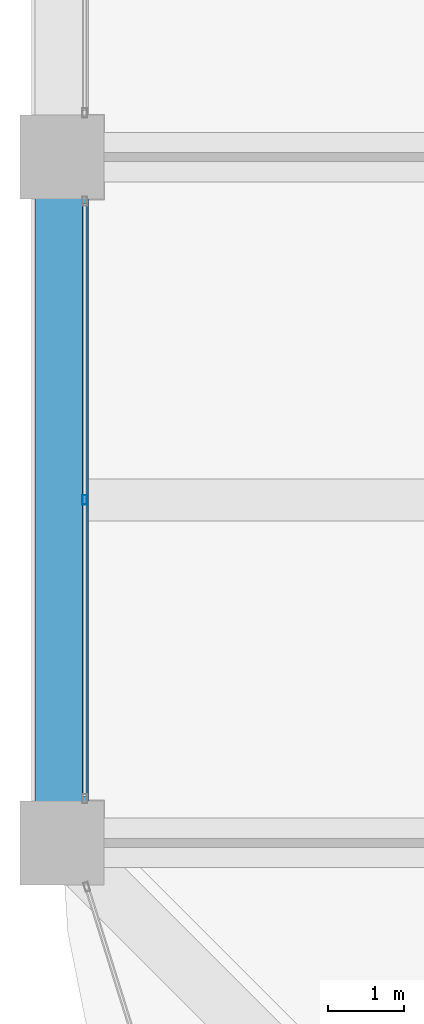
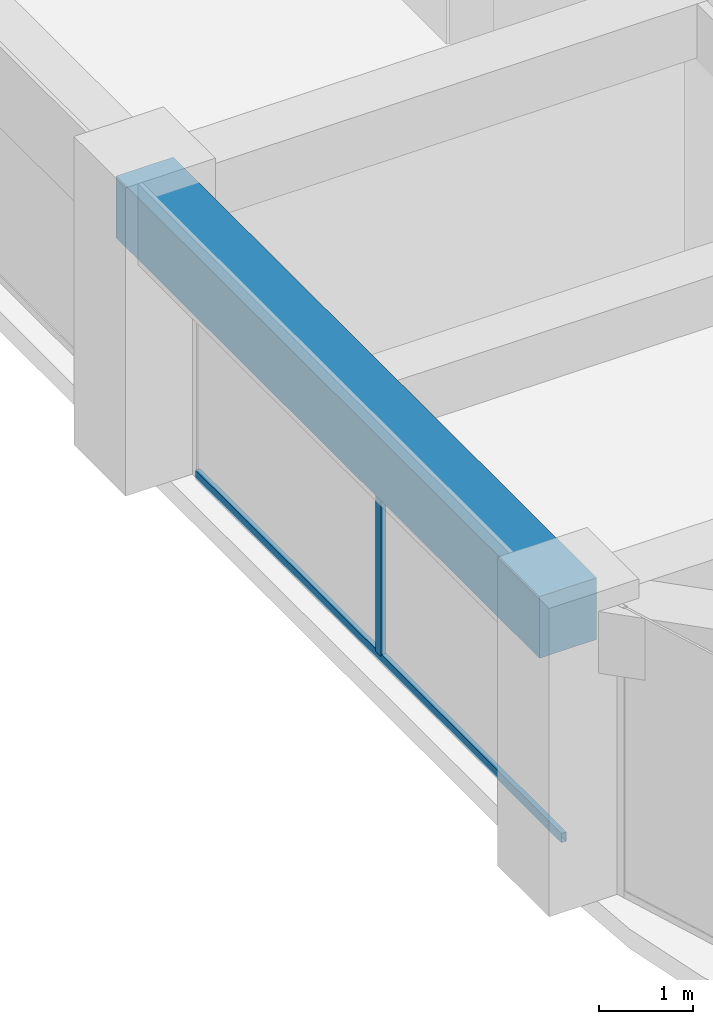
# One storey, part 7 of 44: 2 members, 1 beam, 1 element without a shape of its own.
"""IFC4 building model written with IfcOpenShell, lengths in metres."""

from ifc_helpers import new_model, si_unit, direction, frame, origin, origin_2d, place, context, subcontext, project, spatial, rectangle, hollow_rectangle, extrude, material, material_profile, profile_set, type_object, element, aggregate, save


model = new_model("IFC4")

# Units and contexts
model_context = context("Model", 3, precision=1e-05, world=origin(), true_north=direction((0.0, 1.0)))
body_context = subcontext(model_context, "Body", "Model", "MODEL_VIEW")
ifc_project = project(units=[si_unit("LENGTHUNIT", "METRE"), si_unit("AREAUNIT", "SQUARE_METRE"), si_unit("VOLUMEUNIT", "CUBIC_METRE"), si_unit("PLANEANGLEUNIT", "RADIAN"), si_unit("MASSUNIT", "GRAM", prefix="KILO")], contexts=[model_context])

# Site, building, storey
site_placement = place(None, origin())
site = spatial("IfcSite", under=ifc_project, at=site_placement, CompositionType="ELEMENT")
building_placement = place(site_placement, origin())
building = spatial("IfcBuilding", under=site, at=building_placement, Name="Zorevar Civic Tower", CompositionType="ELEMENT")
storey_placement = place(building_placement, frame((0.0, 0.0, 295.39990234375)))
storey = spatial("IfcBuildingStorey", under=building, at=storey_placement, Name="L72", CompositionType="ELEMENT", Elevation=295.39990234375)

# Curtain wall, members
ifc_material_1 = material(Name="Dark grey solar-control glass in black aluminium frame", Category="aluminium")
curtain_wall_type = type_object("IfcCurtainWallType", Name="Curtain wall CW5 top zone", PredefinedType="NOTDEFINED", material=ifc_material_1)
curtain_wall_placement = place(storey_placement, origin())
curtain_wall = element("IfcCurtainWall", 1, at=curtain_wall_placement, inside=storey, type_object=curtain_wall_type, Name="CW5 L72", PredefinedType="NOTDEFINED")
ifc_material_2 = material(Name="Aluminium, black anodised", Category="aluminium")
ifc_material_profile_1 = material_profile(ifc_material_2, hollow_rectangle(XDim=0.06005859375, YDim=0.1201171875, WallThickness=0.0029296875, at=origin_2d()), Name="AL 120x60x3")
ifc_profile_set_1 = profile_set([ifc_material_profile_1], Name="Aluminium, black anodised")
member_type_1 = type_object("IfcMemberType", Name="CW5 mullion AL 120x60x3", PredefinedType="MULLION", material=ifc_profile_set_1)
member_1_placement = place(storey_placement, frame((9.300048828125, 13.5, 0.06005859375), z_axis=(0.0, 0.0, 1.0), x_axis=(-1.0, 0.0, 0.0)))
member_1 = element("IfcMember", 2, at=member_1_placement, type_object=member_type_1, Name="CW5 mullion 2", PredefinedType="MULLION", context=body_context, shape_type="SweptSolid", body=[
    extrude(hollow_rectangle(XDim=0.06005859375, YDim=0.1201171875, WallThickness=0.0029296875, at=origin_2d()), origin(), (0.0, 0.0, 1.0), 2.89013671875),
])
ifc_material_3 = material(Name="Aluminium, black anodised", Category="aluminium")
ifc_material_profile_2 = material_profile(ifc_material_3, hollow_rectangle(XDim=0.06005859375, YDim=0.1201171875, WallThickness=0.0029296875, at=origin_2d()), Name="AL 120x60x3")
ifc_profile_set_2 = profile_set([ifc_material_profile_2], Name="Aluminium, black anodised")
member_type_2 = type_object("IfcMemberType", Name="CW5 transom AL 120x60x3", PredefinedType="USERDEFINED", material=ifc_profile_set_2)
member_2_placement = place(storey_placement, frame((9.300048828125, 9.610107421875, 0.030029296875), z_axis=(0.0, 1.0, 0.0), x_axis=(-1.0, 0.0, 0.0)))
member_2 = element("IfcMember", 3, at=member_2_placement, type_object=member_type_2, Name="CW5 sill transom", ObjectType="TRANSOM", PredefinedType="USERDEFINED", context=body_context, shape_type="SweptSolid", body=[
    extrude(hollow_rectangle(XDim=0.06005859375, YDim=0.1201171875, WallThickness=0.0029296875, at=origin_2d()), origin(), (0.0, 0.0, 1.0), 7.77978515625),
])
aggregate(curtain_wall, [member_1, member_2])

# Beam
ifc_material_4 = material(Name="Concrete C50/60", Category="concrete")
ifc_material_profile_3 = material_profile(ifc_material_4, rectangle(XDim=0.699951171875, YDim=0.800048828125, at=origin_2d()), Name="RC 700x800")
ifc_profile_set_3 = profile_set([ifc_material_profile_3], Name="Concrete C50/60")
beam_type = type_object("IfcBeamType", Name="Edge beam RC 700x800", PredefinedType="SPANDREL", material=ifc_profile_set_3)
beam_placement = place(storey_placement, frame((9.0, 9.0, 3.35009765625), z_axis=(0.0, 1.0, 0.0), x_axis=(-1.0, 0.0, 0.0)))
element("IfcBeam", 4, at=beam_placement, inside=storey, type_object=beam_type, Name="Edge beam L73", PredefinedType="SPANDREL", context=body_context, shape_type="SweptSolid", body=[
    extrude(rectangle(XDim=0.699951171875, YDim=0.800048828125, at=origin_2d()), origin(), (0.0, 0.0, 1.0), 9.0),
])

save(model, "model.ifc")
